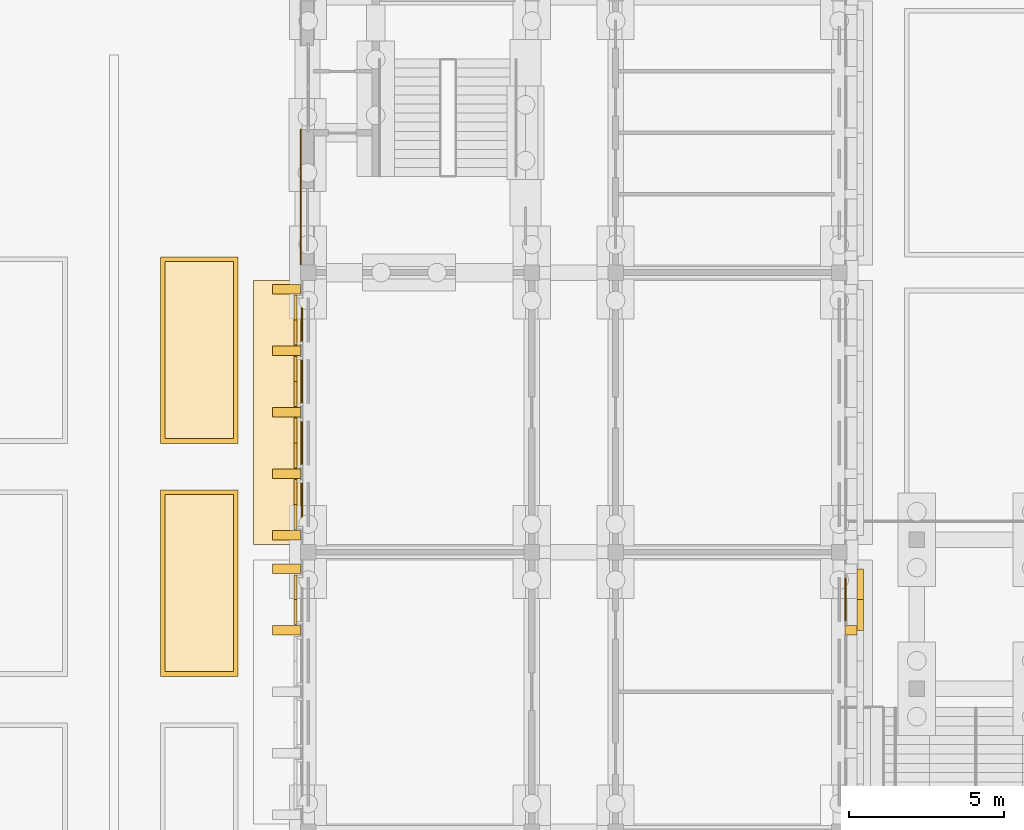
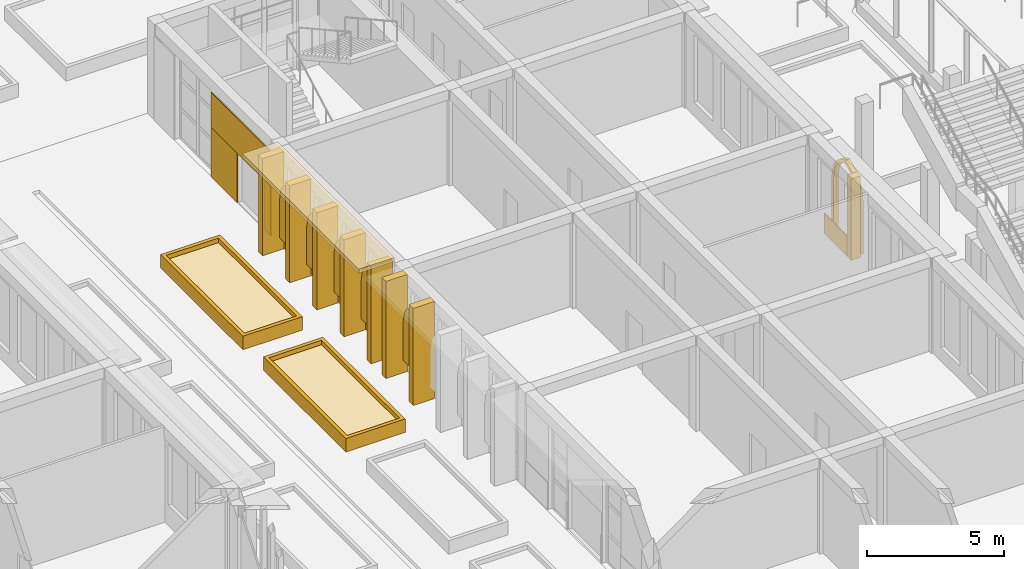
# One storey, part 138 of 161: 19 coverings, 5 shading devices.
"""IFC4 building model written with IfcOpenShell, lengths in metres."""

from ifc_helpers import new_model, si_unit, direction, frame, origin, origin_2d, place, context, subcontext, project, spatial, polyline, rectangle, outline, extrude, material, layer, layer_set, type_object, element, save


model = new_model("IFC4")

# Units and contexts
model_context = context("Model", 3, precision=1e-05, world=origin(), true_north=direction((0.0, 1.0)))
body_context = subcontext(model_context, "Body", "Model", "MODEL_VIEW")
ifc_project = project(units=[si_unit("LENGTHUNIT", "METRE"), si_unit("AREAUNIT", "SQUARE_METRE"), si_unit("VOLUMEUNIT", "CUBIC_METRE"), si_unit("PLANEANGLEUNIT", "RADIAN"), si_unit("MASSUNIT", "GRAM", prefix="KILO")], contexts=[model_context])

# Site, building, storey
site_placement = place(None, origin())
site = spatial("IfcSite", under=ifc_project, at=site_placement, CompositionType="ELEMENT")
building_placement = place(site_placement, origin())
building = spatial("IfcBuilding", under=site, at=building_placement, Name="Elbe Cascade School", CompositionType="ELEMENT")
storey_placement = place(building_placement, origin())
storey = spatial("IfcBuildingStorey", under=building, at=storey_placement, Name="L00", CompositionType="ELEMENT", Elevation=0.0)

# Shading devices
ifc_material_1 = material(Name="Precast concrete C40/50", Category="concrete")
ifc_layer_1 = layer(ifc_material_1, 0.10009765625)
ifc_layer_set_1 = layer_set([ifc_layer_1], Name="Precast concrete C40/50")
shading_device_type = type_object("IfcShadingDeviceType", Name="Bars envelope Jali screen 1600 x 2840, pointed arch rise 1200, pierced precast concrete", PredefinedType="USERDEFINED", material=ifc_layer_set_1)
shading_device_1_placement = place(storey_placement, frame((157.340087890625, 39.669921875, 2.239990234375), z_axis=(-1.0, 0.0, 0.0), x_axis=(0.0, 0.196300278283, 0.98054382908)))
element("IfcShadingDevice", 1, at=shading_device_1_placement, inside=storey, type_object=shading_device_type, Name="Jali screen SD3 D.L00.w4.4", ObjectType="JALI", PredefinedType="USERDEFINED", context=body_context, shape_type="SweptSolid", body=[
    extrude(outline(polyline([(0.0, 0.0), (0.509921112317134, 0.0), (0.7186888708788461, 0.0602894897654897), (0.8735458233318658, 0.1311226852889124), (0.9982874871653163, 0.20823380534668107), (1.102872417131342, 0.2891312241218946), (1.1919448840573539, 0.37338315020117196), (1.2683296500699814, 0.46017509452971084), (1.3336545243794973, 0.5489321924158467), (1.3075801207519657, 0.6562359822289878), (1.270445825421322, 0.7655049255997259), (1.220671754049922, 0.877553277802997), (1.1553372947658807, 0.9927167467270602), (1.069846101614414, 1.1116665143685687), (0.9542396198433787, 1.2368942065444228), (0.7847223319636507, 1.37266560447821), (0.31409961520112845, 1.5689658827607584), (-1.2938869326328684, 1.8908772522001815), (-1.6079865478339967, 0.32191136943942317), (0.0, 0.0)])), origin(), (0.0, 0.0, -1.0), 0.10009765625),
])
shading_device_2_placement = place(storey_placement, frame((157.340087890625, 42.72998046875, 2.239990234375), z_axis=(-1.0, 0.0, 0.0), x_axis=(0.0, 0.196300278283, 0.98054382908)))
element("IfcShadingDevice", 2, at=shading_device_2_placement, inside=storey, type_object=shading_device_type, Name="Jali screen SD3 D.L00.w5.1", ObjectType="JALI", PredefinedType="USERDEFINED", context=body_context, shape_type="SweptSolid", body=[
    extrude(outline(polyline([(0.0, 0.0), (0.509921112317134, 0.0), (0.7186409460062186, 0.06005009918221829), (0.8735458233318658, 0.1311226852889124), (0.9982395622926888, 0.20799441476340969), (1.102872417131342, 0.2891312241218946), (1.1919448840573539, 0.37338315020117196), (1.268281725197354, 0.45993570394643946), (1.3336545243794973, 0.5489321924158467), (1.3075321958793382, 0.6559965916457164), (1.270445825421322, 0.7655049255997259), (1.220671754049922, 0.877553277802997), (1.155289369893253, 0.9924773561437888), (1.069846101614414, 1.1116665143685687), (0.9541916949707512, 1.2366548159611515), (0.7847223319636507, 1.37266560447821), (0.31409961520112845, 1.5689658827607584), (-1.2938869326328684, 1.8908772522001815), (-1.6079865478339967, 0.32191136943942317), (0.0, 0.0)])), origin(), (0.0, 0.0, -1.0), 0.10009765625),
])
for number, where, z_axis, x_axis, name in (
    (3, (157.340087890625, 44.7099609375, 2.239990234375), (-1.0, 0.0, 0.0), (0.0, 0.196300278283, 0.98054382908), "Jali screen SD3 D.L00.w5.2"),
    (4, (157.340087890625, 46.68994140625, 2.239990234375), (-1.0, 0.0, 0.0), (0.0, 0.196300278283, 0.98054382908), "Jali screen SD3 D.L00.w5.3"),
):
    element("IfcShadingDevice", number, at=place(storey_placement, frame(where, z_axis=z_axis, x_axis=x_axis)), inside=storey, type_object=shading_device_type, Name=name, ObjectType="JALI", PredefinedType="USERDEFINED", context=body_context, shape_type="SweptSolid", body=[
        extrude(outline(polyline([(0.0, 0.0), (0.509921112317134, 0.0), (0.7186409460062186, 0.06005009918221829), (0.8735458233318658, 0.1311226852889124), (0.9982874871653163, 0.20823380534668107), (1.102872417131342, 0.2891312241218946), (1.1919448840573539, 0.37338315020117196), (1.268281725197354, 0.45993570394643946), (1.3336545243794973, 0.5489321924158467), (1.3075801207519657, 0.6562359822289878), (1.270445825421322, 0.7655049255997259), (1.220671754049922, 0.877553277802997), (1.155289369893253, 0.9924773561437888), (1.069846101614414, 1.1116665143685687), (0.9542396198433787, 1.2368942065444228), (0.7847223319636507, 1.37266560447821), (0.31409961520112845, 1.5689658827607584), (-1.2938869326328684, 1.8908772522001815), (-1.6079865478339967, 0.32191136943942317), (0.0, 0.0)])), origin(), (0.0, 0.0, -1.0), 0.10009765625),
    ])
shading_device_3_placement = place(storey_placement, frame((157.340087890625, 48.669921875, 2.239990234375), z_axis=(-1.0, 0.0, 0.0), x_axis=(0.0, 0.196300278283, 0.98054382908)))
element("IfcShadingDevice", 5, at=shading_device_3_placement, inside=storey, type_object=shading_device_type, Name="Jali screen SD3 D.L00.w5.4", ObjectType="JALI", PredefinedType="USERDEFINED", context=body_context, shape_type="SweptSolid", body=[
    extrude(outline(polyline([(0.0, 0.0), (0.509921112317134, 0.0), (0.7186888708788461, 0.0602894897654897), (0.8735458233318658, 0.1311226852889124), (0.9982874871653163, 0.20823380534668107), (1.102872417131342, 0.2891312241218946), (1.1919448840573539, 0.37338315020117196), (1.2683296500699814, 0.46017509452971084), (1.3336545243794973, 0.5489321924158467), (1.3075801207519657, 0.6562359822289878), (1.270445825421322, 0.7655049255997259), (1.220671754049922, 0.877553277802997), (1.1553372947658807, 0.9927167467270602), (1.069846101614414, 1.1116665143685687), (0.9542396198433787, 1.2368942065444228), (0.7847223319636507, 1.37266560447821), (0.31409961520112845, 1.5689658827607584), (-1.2938869326328684, 1.8908772522001815), (-1.6079865478339967, 0.32191136943942317), (0.0, 0.0)])), origin(), (0.0, 0.0, -1.0), 0.10009765625),
])

# Coverings
ifc_material_2 = material(Name="Precast concrete C40/50", Category="concrete")
covering_type_1 = type_object("IfcCoveringType", Name="Bars envelope Precast concrete fin, 300 wide, 400 deep", PredefinedType="CLADDING", material=ifc_material_2)
covering_1_placement = place(storey_placement, frame((175.280029296875, 39.47998046875, 0.0), z_axis=(0.0, 0.0, 1.0), x_axis=(0.0, 1.0, 0.0)))
element("IfcCovering", 6, at=covering_1_placement, inside=storey, type_object=covering_type_1, Name="Fin CV67 D.L00.e4.4", PredefinedType="CLADDING", context=body_context, shape_type="SweptSolid", body=[
    extrude(rectangle(XDim=0.300048828125, YDim=0.39990234375, at=origin_2d()), origin(), (0.0, 0.0, 1.0), 3.6298828125),
])
ifc_material_3 = material(Name="Sandstone - red", Category="masonry")
ifc_layer_2 = layer(ifc_material_3, 0.0400390625)
ifc_layer_set_2 = layer_set([ifc_layer_2], Name="Sandstone - red")
covering_type_2 = type_object("IfcCoveringType", Name="Bars envelope Sandstone cladding, red, 40 mm", PredefinedType="CLADDING", material=ifc_layer_set_2)
covering_2_placement = place(storey_placement, frame((157.60009765625, 46.5, 0.0), z_axis=(0.0, 0.0, 1.0), x_axis=(0.0, 1.0, 0.0)))
element("IfcCovering", 7, at=covering_2_placement, inside=storey, type_object=covering_type_2, Name="Sandstone cladding CV48 D.L00.w.5.1", PredefinedType="CLADDING", context=body_context, shape_type="SweptSolid", body=[
    extrude(rectangle(XDim=8.5, YDim=0.0400390625, at=origin_2d()), origin(), (0.0, 0.0, 1.0), 0.60009765625),
])
covering_3_placement = place(storey_placement, frame((157.56005859375, 51.47509765625, 0.0), z_axis=(0.0, 0.0, 1.0), x_axis=(0.0, 1.0, 0.0)))
element("IfcCovering", 8, at=covering_3_placement, inside=storey, type_object=covering_type_2, Name="Sandstone cladding CV48 D.L00.w.6a.1", PredefinedType="CLADDING", context=body_context, shape_type="SweptSolid", body=[
    extrude(rectangle(XDim=0.449951171875, YDim=0.0400390625, at=origin_2d()), origin(), (0.0, 0.0, 1.0), 2.199951171875),
])
covering_4_placement = place(storey_placement, frame((157.56005859375, 54.655029296875, 0.0), z_axis=(0.0, 0.0, 1.0), x_axis=(0.0, 1.0, 0.0)))
element("IfcCovering", 9, at=covering_4_placement, inside=storey, type_object=covering_type_2, Name="Sandstone cladding CV48 D.L00.w.6a.2", PredefinedType="CLADDING", context=body_context, shape_type="SweptSolid", body=[
    extrude(rectangle(XDim=1.909912109375, YDim=0.0400390625, at=origin_2d()), origin(), (0.0, 0.0, 1.0), 2.199951171875),
])
covering_5_placement = place(storey_placement, frame((157.56005859375, 53.429931640625, 2.2001953125), z_axis=(0.0, 0.0, 1.0), x_axis=(0.0, 1.0, 0.0)))
element("IfcCovering", 10, at=covering_5_placement, inside=storey, type_object=covering_type_2, Name="Sandstone cladding CV48 D.L00.w.6a.3", PredefinedType="CLADDING", context=body_context, shape_type="SweptSolid", body=[
    extrude(rectangle(XDim=4.360107421875, YDim=0.0400390625, at=origin_2d()), origin(), (0.0, 0.0, 1.0), 1.550048828125),
])
covering_6_placement = place(storey_placement, frame((175.10009765625, 40.469970703125, 0.0), z_axis=(0.0, 0.0, 1.0), x_axis=(0.0, 1.0, 0.0)))
element("IfcCovering", 11, at=covering_6_placement, inside=storey, type_object=covering_type_2, Name="Sandstone cladding CV48 D.L00.e.4.5", PredefinedType="CLADDING", context=body_context, shape_type="SweptSolid", body=[
    extrude(rectangle(XDim=1.679931640625, YDim=0.0400390625, at=origin_2d()), origin(), (0.0, 0.0, 1.0), 0.89990234375),
])
ifc_material_4 = material(Name="Sandstone - red", Category="masonry")
covering_type_3 = type_object("IfcCoveringType", Name="Bars envelope Sandstone gallery canopy, 1500 deep", PredefinedType="CLADDING", material=ifc_material_4)
covering_7_placement = place(storey_placement, frame((156.800048828125, 46.5, 4.31982421875), z_axis=(0.0, 0.0, 1.0), x_axis=(0.0, 1.0, 0.0)))
element("IfcCovering", 12, at=covering_7_placement, inside=storey, type_object=covering_type_3, Name="Gallery canopy CV73 D.w4", PredefinedType="CLADDING", context=body_context, shape_type="SweptSolid", body=[
    extrude(rectangle(XDim=8.5, YDim=1.5, at=origin_2d()), origin(), (0.0, 0.0, 1.0), 0.179931640625),
])
ifc_material_5 = material(Name="Sandstone - red", Category="masonry")
covering_type_4 = type_object("IfcCoveringType", Name="Bars envelope Sandstone gallery fin, 300 wide, 900 deep", PredefinedType="CLADDING", material=ifc_material_5)
for number, where, z_axis, x_axis, name in (
    (13, (157.10009765625, 39.47998046875, 0.0), (0.0, 0.0, 1.0), (0.0, 1.0, 0.0), "Gallery fin CV74 D.w3.4"),
    (14, (157.10009765625, 41.4599609375, 0.0), (0.0, 0.0, 1.0), (0.0, 1.0, 0.0), "Gallery fin CV74 D.w3.5"),
    (15, (157.10009765625, 42.5400390625, 0.0), (0.0, 0.0, 1.0), (0.0, 1.0, 0.0), "Gallery fin CV74 D.w4.1"),
    (16, (157.10009765625, 44.52001953125, 0.0), (0.0, 0.0, 1.0), (0.0, 1.0, 0.0), "Gallery fin CV74 D.w4.2"),
    (17, (157.10009765625, 46.5, 0.0), (0.0, 0.0, 1.0), (0.0, 1.0, 0.0), "Gallery fin CV74 D.w4.3"),
    (18, (157.10009765625, 48.47998046875, 0.0), (0.0, 0.0, 1.0), (0.0, 1.0, 0.0), "Gallery fin CV74 D.w4.4"),
    (19, (157.10009765625, 50.4599609375, 0.0), (0.0, 0.0, 1.0), (0.0, 1.0, 0.0), "Gallery fin CV74 D.w4.5"),
):
    element("IfcCovering", number, at=place(storey_placement, frame(where, z_axis=z_axis, x_axis=x_axis)), inside=storey, type_object=covering_type_4, Name=name, PredefinedType="CLADDING", context=body_context, shape_type="SweptSolid", body=[
        extrude(rectangle(XDim=0.300048828125, YDim=0.89990234375, at=origin_2d()), origin(), (0.0, 0.0, 1.0), 4.320068359375),
    ])
ifc_material_6 = material(Name="Sandstone - red", Category="masonry")
covering_type_5 = type_object("IfcCoveringType", Name="Bars envelope Sandstone pointed arch band, 1980 wide, 200 deep", PredefinedType="CLADDING", material=ifc_material_6)
covering_8_placement = place(storey_placement, frame((175.679931640625, 39.6298828125, 0.0), z_axis=(1.0, 0.0, 0.0), x_axis=(0.0, 0.0, 1.0)))
element("IfcCovering", 20, at=covering_8_placement, inside=storey, type_object=covering_type_5, Name="Arcade arch CV68 D.L00.e4.4", PredefinedType="CLADDING", context=body_context, shape_type="SweptSolid", body=[
    extrude(outline(polyline([(0.0, 0.0), (2.330078125, 0.0), (2.822509765625, -0.105224609375), (3.010498046875, -0.210205078125), (3.143310546875, -0.315185546875), (3.2451171875, -0.420166015625), (3.325927734375, -0.525146484375), (3.390380859375, -0.630126953125), (3.44091796875, -0.735107421875), (3.47998046875, -0.840087890625), (3.44091796875, -0.945068359375), (3.390380859375, -1.050048828125), (3.325927734375, -1.155029296875), (3.2451171875, -1.260009765625), (3.143310546875, -1.365234375), (3.010498046875, -1.47021484375), (2.822509765625, -1.5751953125), (2.330078125, -1.68017578125), (0.0, -1.68017578125), (0.0, -1.830078125), (2.330078125, -1.830078125), (2.894287109375, -1.706298828125), (3.108642578125, -1.58251953125), (3.25927734375, -1.458740234375), (3.3740234375, -1.335205078125), (3.464111328125, -1.21142578125), (3.53466796875, -1.087646484375), (3.58935546875, -0.9638671875), (3.6298828125, -0.840087890625), (3.58935546875, -0.71630859375), (3.53466796875, -0.592529296875), (3.464111328125, -0.468994140625), (3.3740234375, -0.34521484375), (3.25927734375, -0.221435546875), (3.108642578125, -0.09765625), (2.894287109375, 0.026123046875), (2.330078125, 0.14990234375), (0.0, 0.14990234375), (0.0, 0.0)])), origin(), (0.0, 0.0, -1.0), 0.199951171875),
])
ifc_material_7 = material(Name="Planting - soil and shrubs", Category="soil")
ifc_layer_3 = layer(ifc_material_7, 0.39990234375)
ifc_layer_set_3 = layer_set([ifc_layer_3], Name="Planting - soil and shrubs")
covering_type_6 = type_object("IfcCoveringType", Name="Site planting bed 400", PredefinedType="USERDEFINED", material=ifc_layer_set_3)
covering_9_placement = place(storey_placement, origin())
element("IfcCovering", 21, at=covering_9_placement, inside=storey, type_object=covering_type_6, Name="Court C-D planting bed east 5", ObjectType="PLANTING BED", PredefinedType="USERDEFINED", context=body_context, shape_type="SweptSolid", body=[
    extrude(outline(polyline([(153.199951171875, 38.14990234375), (155.39990234375, 38.14990234375), (155.39990234375, 43.85009765625), (153.199951171875, 43.85009765625), (153.199951171875, 38.14990234375)])), origin(), (0.0, 0.0, 1.0), 0.39990234375),
])
covering_10_placement = place(storey_placement, origin())
element("IfcCovering", 22, at=covering_10_placement, inside=storey, type_object=covering_type_6, Name="Court C-D planting bed east 6", ObjectType="PLANTING BED", PredefinedType="USERDEFINED", context=body_context, shape_type="SweptSolid", body=[
    extrude(outline(polyline([(153.199951171875, 45.64990234375), (155.39990234375, 45.64990234375), (155.39990234375, 51.35009765625), (153.199951171875, 51.35009765625), (153.199951171875, 45.64990234375)])), origin(), (0.0, 0.0, 1.0), 0.39990234375),
])
ifc_material_8 = material(Name="Concrete C30/37 precast kerb", Category="concrete")
ifc_layer_4 = layer(ifc_material_8, 0.14990234375)
ifc_layer_set_4 = layer_set([ifc_layer_4], Name="Concrete C30/37 precast kerb")
covering_type_7 = type_object("IfcCoveringType", Name="Site planting bed kerb 150x600", PredefinedType="CLADDING", material=ifc_layer_set_4)
covering_11_placement = place(storey_placement, origin())
element("IfcCovering", 23, at=covering_11_placement, inside=storey, type_object=covering_type_7, Name="Court C-D planting bed kerb east 5", PredefinedType="CLADDING", context=body_context, shape_type="SweptSolid", body=[
    extrude(outline(polyline([(153.050048828125, 38.0), (155.550048828125, 38.0), (155.550048828125, 44.0), (153.050048828125, 44.0), (153.050048828125, 38.0)]), holes=[polyline([(153.199951171875, 38.14990234375), (155.39990234375, 38.14990234375), (155.39990234375, 43.85009765625), (153.199951171875, 43.85009765625), (153.199951171875, 38.14990234375)])]), origin(), (0.0, 0.0, 1.0), 0.60009765625),
])
covering_12_placement = place(storey_placement, origin())
element("IfcCovering", 24, at=covering_12_placement, inside=storey, type_object=covering_type_7, Name="Court C-D planting bed kerb east 6", PredefinedType="CLADDING", context=body_context, shape_type="SweptSolid", body=[
    extrude(outline(polyline([(153.050048828125, 45.5), (155.550048828125, 45.5), (155.550048828125, 51.5), (153.050048828125, 51.5), (153.050048828125, 45.5)]), holes=[polyline([(153.199951171875, 45.64990234375), (155.39990234375, 45.64990234375), (155.39990234375, 51.35009765625), (153.199951171875, 51.35009765625), (153.199951171875, 45.64990234375)])]), origin(), (0.0, 0.0, 1.0), 0.60009765625),
])

save(model, "model.ifc")
